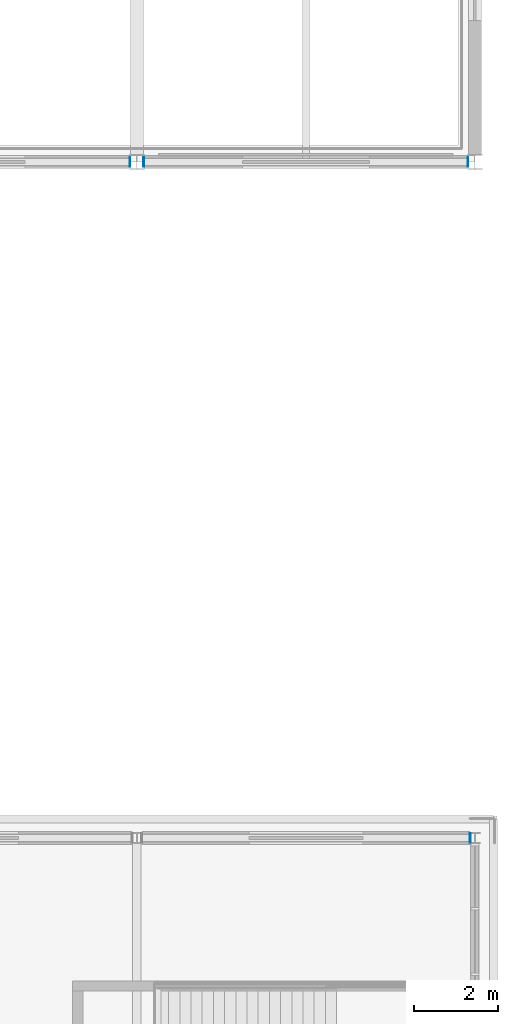
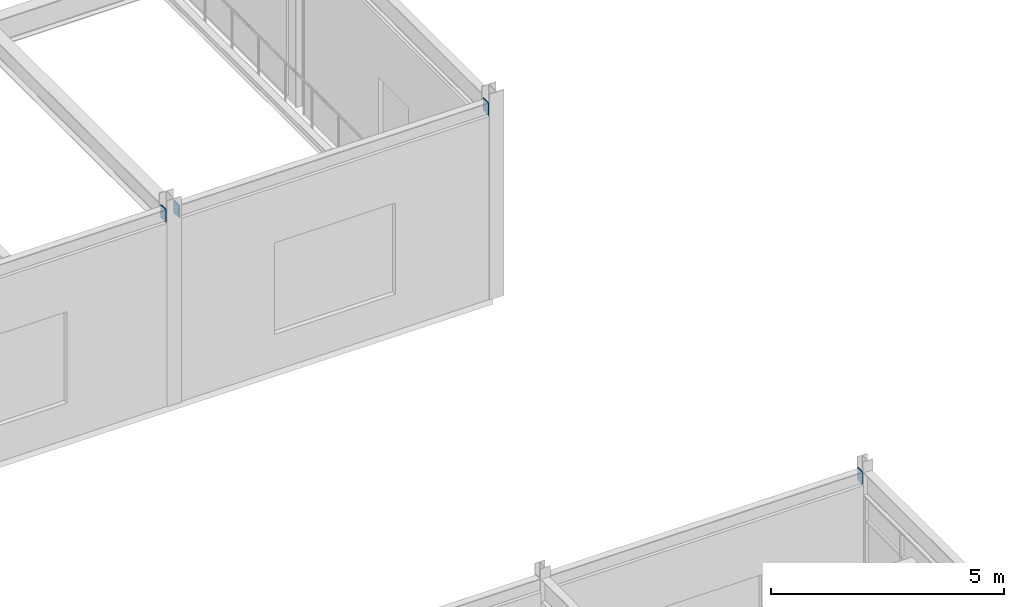
# One storey, part 156 of 184: 4 plates.
"""IFC4 building model written with IfcOpenShell, lengths in metres."""

from ifc_helpers import new_model, si_unit, direction, frame, origin, origin_2d, place, context, subcontext, project, spatial, rectangle, extrude, material, layer, layer_set, type_object, element, save


model = new_model("IFC4")

# Units and contexts
model_context = context("Model", 3, precision=1e-05, world=origin(), true_north=direction((0.0, 1.0)))
body_context = subcontext(model_context, "Body", "Model", "MODEL_VIEW")
ifc_project = project(units=[si_unit("LENGTHUNIT", "METRE"), si_unit("AREAUNIT", "SQUARE_METRE"), si_unit("VOLUMEUNIT", "CUBIC_METRE"), si_unit("PLANEANGLEUNIT", "RADIAN"), si_unit("MASSUNIT", "GRAM", prefix="KILO")], contexts=[model_context])

# Site, building, storey
site_placement = place(None, origin())
site = spatial("IfcSite", under=ifc_project, at=site_placement, CompositionType="ELEMENT")
building_placement = place(site_placement, origin())
building = spatial("IfcBuilding", under=site, at=building_placement, Name="Zhaolan Boulevard Law Courts", CompositionType="ELEMENT")
storey_placement = place(building_placement, frame((0.0, 0.0, 5.39990234375)))
storey = spatial("IfcBuildingStorey", under=building, at=storey_placement, Name="L01", CompositionType="ELEMENT", Elevation=5.39990234375)

# Plates
ifc_material = material(Name="Structural steel Q355B", Category="steel")
ifc_layer = layer(ifc_material, 0.02001953125)
ifc_layer_set = layer_set([ifc_layer])
plate_type = type_object("IfcPlateType", Name="END CAP PLATE 20", PredefinedType="SHEET", material=ifc_layer_set)
for number, where, z_axis, x_axis, name in (
    (1, (163.886962890625, 46.0, 4.802978515625), (0.0, 0.0, 1.0), (1.0, 0.0, 0.0), "Hollow Section End-Cap Plate ECP-0780"),
    (2, (155.8369140625, 62.0, 4.802978515625), (0.0, 0.0, 1.0), (1.0, 0.0, 0.0), "Hollow Section End-Cap Plate ECP-0816"),
    (3, (156.1630859375, 62.0, 4.802978515625), (0.0, 0.0, 1.0), (1.0, 0.0, 0.0), "Hollow Section End-Cap Plate ECP-0817"),
    (4, (163.8369140625, 62.0, 4.802978515625), (0.0, 0.0, 1.0), (1.0, 0.0, 0.0), "Hollow Section End-Cap Plate ECP-0818"),
):
    element("IfcPlate", number, at=place(storey_placement, frame(where, z_axis=z_axis, x_axis=x_axis)), inside=storey, type_object=plate_type, Name=name, PredefinedType="SHEET", context=body_context, shape_type="SweptSolid", body=[
        extrude(rectangle(XDim=0.02001953125, YDim=0.22998046875, at=origin_2d()), origin(), (0.0, 0.0, 1.0), 0.330078125),
    ])

save(model, "model.ifc")
